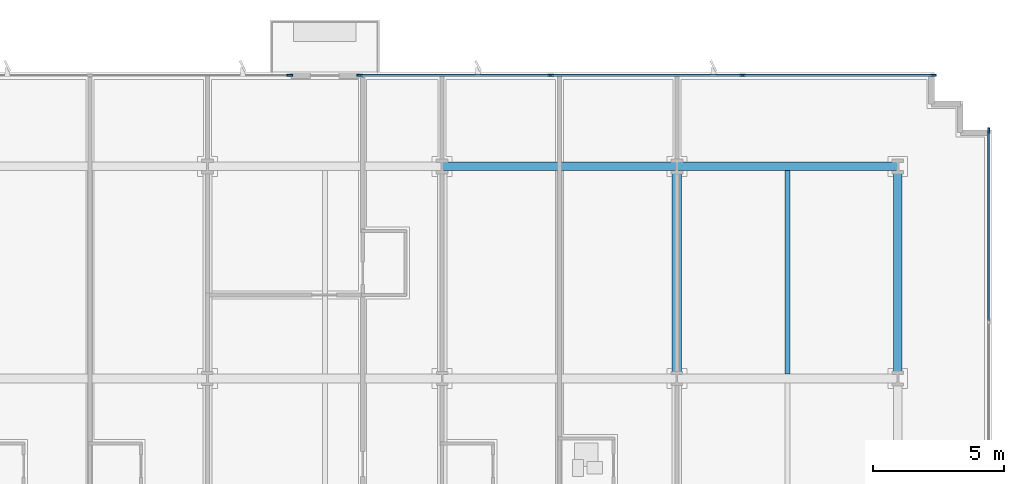
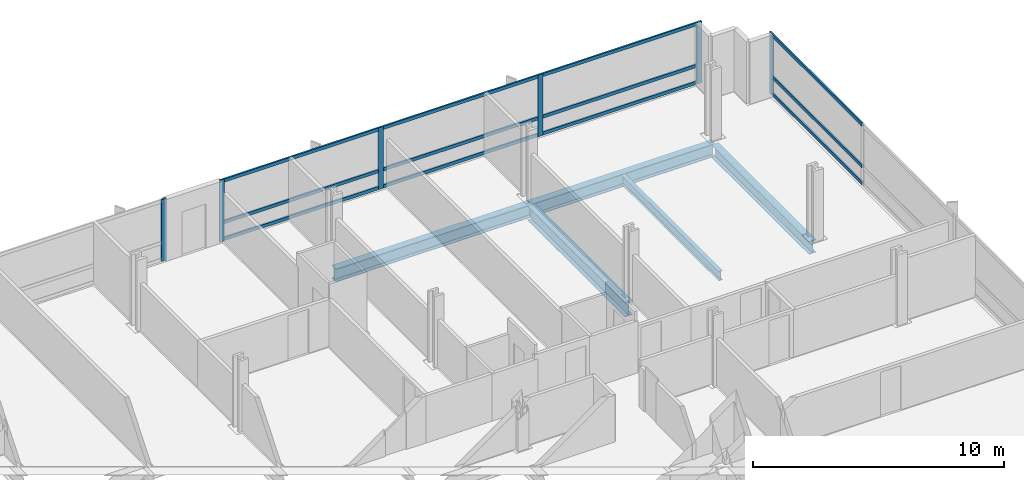
# One storey, part 6 of 15: 18 members, 5 beams, 3 elements without a shape of their own.
"""IFC4 building model written with IfcOpenShell, lengths in metres."""

from ifc_helpers import new_model, si_unit, direction, frame, origin, origin_2d, place, context, subcontext, project, spatial, rectangle, i_section, extrude, material, material_profile, profile_set, type_object, element, aggregate, save


model = new_model("IFC4")

# Units and contexts
model_context = context("Model", 3, precision=1e-05, world=origin(), true_north=direction((0.0, 1.0)))
body_context = subcontext(model_context, "Body", "Model", "MODEL_VIEW")
ifc_project = project(units=[si_unit("LENGTHUNIT", "METRE"), si_unit("AREAUNIT", "SQUARE_METRE"), si_unit("VOLUMEUNIT", "CUBIC_METRE"), si_unit("PLANEANGLEUNIT", "RADIAN"), si_unit("MASSUNIT", "GRAM", prefix="KILO")], contexts=[model_context])

# Site, building, storey
site_placement = place(None, origin())
site = spatial("IfcSite", under=ifc_project, at=site_placement, CompositionType="ELEMENT")
building_placement = place(site_placement, origin())
building = spatial("IfcBuilding", under=site, at=building_placement, Name="Solmavex Isthmus Hotel", CompositionType="ELEMENT")
storey_placement = place(building_placement, frame((0.0, 0.0, 71.25)))
storey = spatial("IfcBuildingStorey", under=building, at=storey_placement, Name="L19", CompositionType="ELEMENT", Elevation=71.25)

# Beams
ifc_material_1 = material(Name="Steel ASTM A992 Grade 50", Category="steel")
ifc_material_profile_1 = material_profile(ifc_material_1, i_section(OverallWidth=0.354736328125, OverallDepth=0.695556640625, WebThickness=0.015380859375, FlangeThickness=0.02490234375, FilletRadius=0.017822265625, at=origin_2d()), Name="W27X146")
ifc_profile_set_1 = profile_set([ifc_material_profile_1], Name="Steel ASTM A992 Grade 50")
beam_type_1 = type_object("IfcBeamType", Name="BM-BG-W27X146", PredefinedType="BEAM", material=ifc_profile_set_1)
beam_1_placement = place(storey_placement, frame((17.951904296875, 8.96533203125, -0.607666015625), z_axis=(0.0, 1.0, 0.0), x_axis=(-1.0, 0.0, 0.0)))
element("IfcBeam", 1, at=beam_1_placement, inside=storey, type_object=beam_type_1, Name="Floor Beam L19-VG45", PredefinedType="BEAM", context=body_context, shape_type="SweptSolid", body=[
    extrude(i_section(OverallWidth=0.354736328125, OverallDepth=0.695556640625, WebThickness=0.015380859375, FlangeThickness=0.02490234375, FilletRadius=0.017822265625, at=origin_2d()), origin(), (0.0, 0.0, 1.0), 7.771484375),
])
ifc_material_profile_2 = material_profile(ifc_material_1, i_section(OverallWidth=0.1904296875, OverallDepth=0.456787109375, WebThickness=0.009033203125, FlangeThickness=0.014404296875, FilletRadius=0.0126953125, at=origin_2d()), Name="W18X50")
ifc_profile_set_2 = profile_set([ifc_material_profile_2], Name="Steel ASTM A992 Grade 50")
beam_type_2 = type_object("IfcBeamType", Name="BM-BJ-W18X50", PredefinedType="JOIST", material=ifc_profile_set_2)
beam_2_placement = place(storey_placement, frame((22.176025390625, 8.96533203125, -0.488525390625), z_axis=(0.0, 1.0, 0.0), x_axis=(-1.0, 0.0, 0.0)))
element("IfcBeam", 2, at=beam_2_placement, inside=storey, type_object=beam_type_2, Name="Secondary Floor Joist L19-J22", PredefinedType="JOIST", context=body_context, shape_type="SweptSolid", body=[
    extrude(i_section(OverallWidth=0.1904296875, OverallDepth=0.456787109375, WebThickness=0.009033203125, FlangeThickness=0.014404296875, FilletRadius=0.0126953125, at=origin_2d()), origin(), (0.0, 0.0, 1.0), 7.771484375),
])
ifc_material_profile_3 = material_profile(ifc_material_1, i_section(OverallWidth=0.326416015625, OverallDepth=0.621826171875, WebThickness=0.015380859375, FlangeThickness=0.0244140625, FilletRadius=0.01513671875, at=origin_2d()), Name="W24X131")
ifc_profile_set_3 = profile_set([ifc_material_profile_3], Name="Steel ASTM A992 Grade 50")
beam_type_3 = type_object("IfcBeamType", Name="BM-SP-W24X131", PredefinedType="SPANDREL", material=ifc_profile_set_3)
beam_3_placement = place(storey_placement, frame((8.97607421875, 16.89990234375, -0.57080078125), z_axis=(1.0, 0.0, 0.0), x_axis=(0.0, 1.0, 0.0)))
element("IfcBeam", 3, at=beam_3_placement, inside=storey, type_object=beam_type_3, Name="Floor Girder L19-UG23", PredefinedType="SPANDREL", context=body_context, shape_type="SweptSolid", body=[
    extrude(i_section(OverallWidth=0.326416015625, OverallDepth=0.621826171875, WebThickness=0.015380859375, FlangeThickness=0.0244140625, FilletRadius=0.01513671875, at=origin_2d()), origin(), (0.0, 0.0, 1.0), 8.975830078125),
])
beam_4_placement = place(storey_placement, frame((17.951904296875, 16.89990234375, -0.57080078125), z_axis=(1.0, 0.0, 0.0), x_axis=(0.0, 1.0, 0.0)))
element("IfcBeam", 4, at=beam_4_placement, inside=storey, type_object=beam_type_3, Name="Floor Girder L19-UG24", PredefinedType="SPANDREL", context=body_context, shape_type="SweptSolid", body=[
    extrude(i_section(OverallWidth=0.326416015625, OverallDepth=0.621826171875, WebThickness=0.015380859375, FlangeThickness=0.0244140625, FilletRadius=0.01513671875, at=origin_2d()), origin(), (0.0, 0.0, 1.0), 8.447998046875),
])
beam_5_placement = place(storey_placement, frame((26.39990234375, 8.96533203125, -0.57080078125), z_axis=(0.0, 1.0, 0.0), x_axis=(-1.0, 0.0, 0.0)))
element("IfcBeam", 5, at=beam_5_placement, inside=storey, type_object=beam_type_3, Name="Floor Beam L19-VG48", PredefinedType="SPANDREL", context=body_context, shape_type="SweptSolid", body=[
    extrude(i_section(OverallWidth=0.326416015625, OverallDepth=0.621826171875, WebThickness=0.015380859375, FlangeThickness=0.0244140625, FilletRadius=0.01513671875, at=origin_2d()), origin(), (0.0, 0.0, 1.0), 7.771484375),
])

# Curtain wall, member
ifc_material_2 = material(Name="Aluminium alloy 6063-T6", Category="aluminium")
curtain_wall_type = type_object("IfcCurtainWallType", Name="CW-SYS-02", PredefinedType="NOTDEFINED", material=ifc_material_2)
curtain_wall_1_placement = place(storey_placement, origin())
curtain_wall_1 = element("IfcCurtainWall", 6, at=curtain_wall_1_placement, inside=storey, type_object=curtain_wall_type, Name="Stick Curtain Wall CWL-L19-N2", PredefinedType="NOTDEFINED")
ifc_material_profile_4 = material_profile(ifc_material_2, rectangle(XDim=0.074951171875, YDim=0.219970703125, at=origin_2d()), Name="CWM-75X220")
ifc_profile_set_4 = profile_set([ifc_material_profile_4], Name="Aluminium alloy 6063-T6")
member_type_1 = type_object("IfcMemberType", Name="CW-SYS-02-MUL", PredefinedType="MULLION", material=ifc_profile_set_4)
member_1_placement = place(storey_placement, frame((3.150390625, 20.3798828125, 0.0), z_axis=(0.0, 0.0, 1.0), x_axis=(0.0, 1.0, 0.0)))
member_1 = element("IfcMember", 7, at=member_1_placement, type_object=member_type_1, Name="CW-02 mullion 3", PredefinedType="MULLION", context=body_context, shape_type="SweptSolid", body=[
    extrude(rectangle(XDim=0.074951171875, YDim=0.219970703125, at=origin_2d()), origin(), (0.0, 0.0, 1.0), 3.0),
])
aggregate(curtain_wall_1, [member_1])

# Curtain wall, members
curtain_wall_2_placement = place(storey_placement, origin())
curtain_wall_2 = element("IfcCurtainWall", 8, at=curtain_wall_2_placement, inside=storey, type_object=curtain_wall_type, Name="Stick Curtain Wall CWL-L19-N3", PredefinedType="NOTDEFINED")
member_2_placement = place(storey_placement, frame((5.825439453125, 20.3798828125, 0.0), z_axis=(0.0, 0.0, 1.0), x_axis=(0.0, 1.0, 0.0)))
member_2 = element("IfcMember", 9, at=member_2_placement, type_object=member_type_1, Name="CW-02 mullion 1", PredefinedType="MULLION", context=body_context, shape_type="SweptSolid", body=[
    extrude(rectangle(XDim=0.074951171875, YDim=0.219970703125, at=origin_2d()), origin(), (0.0, 0.0, 1.0), 3.0),
])
member_3_placement = place(storey_placement, frame((13.125244140625, 20.3798828125, 0.0), z_axis=(0.0, 0.0, 1.0), x_axis=(0.0, 1.0, 0.0)))
member_3 = element("IfcMember", 10, at=member_3_placement, type_object=member_type_1, Name="CW-02 mullion 2", PredefinedType="MULLION", context=body_context, shape_type="SweptSolid", body=[
    extrude(rectangle(XDim=0.074951171875, YDim=0.219970703125, at=origin_2d()), origin(), (0.0, 0.0, 1.0), 3.0),
])
member_4_placement = place(storey_placement, frame((20.462646484375, 20.3798828125, 0.0), z_axis=(0.0, 0.0, 1.0), x_axis=(0.0, 1.0, 0.0)))
member_4 = element("IfcMember", 11, at=member_4_placement, type_object=member_type_1, Name="CW-02 mullion 3", PredefinedType="MULLION", context=body_context, shape_type="SweptSolid", body=[
    extrude(rectangle(XDim=0.074951171875, YDim=0.219970703125, at=origin_2d()), origin(), (0.0, 0.0, 1.0), 3.0),
])
member_5_placement = place(storey_placement, frame((27.762451171875, 20.3798828125, 0.0), z_axis=(0.0, 0.0, 1.0), x_axis=(0.0, 1.0, 0.0)))
member_5 = element("IfcMember", 12, at=member_5_placement, type_object=member_type_1, Name="CW-02 mullion 4", PredefinedType="MULLION", context=body_context, shape_type="SweptSolid", body=[
    extrude(rectangle(XDim=0.074951171875, YDim=0.219970703125, at=origin_2d()), origin(), (0.0, 0.0, 1.0), 3.0),
])

# Curtain wall, member
curtain_wall_3_placement = place(storey_placement, origin())
curtain_wall_3 = element("IfcCurtainWall", 13, at=curtain_wall_3_placement, inside=storey, type_object=curtain_wall_type, Name="Stick Curtain Wall CWL-L19-E1", PredefinedType="NOTDEFINED")
member_6_placement = place(storey_placement, frame((29.8798828125, 18.262451171875, 0.0), z_axis=(0.0, 0.0, 1.0), x_axis=(-1.0, 0.0, 0.0)))
member_6 = element("IfcMember", 14, at=member_6_placement, type_object=member_type_1, Name="CW-02 mullion 6", PredefinedType="MULLION", context=body_context, shape_type="SweptSolid", body=[
    extrude(rectangle(XDim=0.074951171875, YDim=0.219970703125, at=origin_2d()), origin(), (0.0, 0.0, 1.0), 3.0),
])

# Member
ifc_material_profile_5 = material_profile(ifc_material_2, rectangle(XDim=0.074951171875, YDim=0.159912109375, at=origin_2d()), Name="CWT-75X160")
ifc_profile_set_5 = profile_set([ifc_material_profile_5], Name="Aluminium alloy 6063-T6")
member_type_2 = type_object("IfcMemberType", Name="CW-SYS-02-TRN", PredefinedType="USERDEFINED", material=ifc_profile_set_5)
member_7_placement = place(storey_placement, frame((5.863037109375, 20.3798828125, 0.080078125), z_axis=(1.0, 0.0, 0.0), x_axis=(0.0, 1.0, 0.0)))
member_7 = element("IfcMember", 15, at=member_7_placement, type_object=member_type_2, Name="CW-02 transom 1.1", ObjectType="TRANSOM", PredefinedType="USERDEFINED", context=body_context, shape_type="SweptSolid", body=[
    extrude(rectangle(XDim=0.074951171875, YDim=0.159912109375, at=origin_2d()), origin(), (0.0, 0.0, 1.0), 7.224853515625),
])

member_8_placement = place(storey_placement, frame((5.863037109375, 20.3798828125, 0.89990234375), z_axis=(1.0, 0.0, 0.0), x_axis=(0.0, 1.0, 0.0)))
member_8 = element("IfcMember", 16, at=member_8_placement, type_object=member_type_2, Name="CW-02 transom 1.2", ObjectType="TRANSOM", PredefinedType="USERDEFINED", context=body_context, shape_type="SweptSolid", body=[
    extrude(rectangle(XDim=0.074951171875, YDim=0.159912109375, at=origin_2d()), origin(), (0.0, 0.0, 1.0), 7.224853515625),
])

member_9_placement = place(storey_placement, frame((5.863037109375, 20.3798828125, 2.919921875), z_axis=(1.0, 0.0, 0.0), x_axis=(0.0, 1.0, 0.0)))
member_9 = element("IfcMember", 17, at=member_9_placement, type_object=member_type_2, Name="CW-02 transom 1.3", ObjectType="TRANSOM", PredefinedType="USERDEFINED", context=body_context, shape_type="SweptSolid", body=[
    extrude(rectangle(XDim=0.074951171875, YDim=0.159912109375, at=origin_2d()), origin(), (0.0, 0.0, 1.0), 7.224853515625),
])

member_10_placement = place(storey_placement, frame((13.162841796875, 20.3798828125, 0.080078125), z_axis=(1.0, 0.0, 0.0), x_axis=(0.0, 1.0, 0.0)))
member_10 = element("IfcMember", 18, at=member_10_placement, type_object=member_type_2, Name="CW-02 transom 2.1", ObjectType="TRANSOM", PredefinedType="USERDEFINED", context=body_context, shape_type="SweptSolid", body=[
    extrude(rectangle(XDim=0.074951171875, YDim=0.159912109375, at=origin_2d()), origin(), (0.0, 0.0, 1.0), 7.26220703125),
])

member_11_placement = place(storey_placement, frame((13.162841796875, 20.3798828125, 0.89990234375), z_axis=(1.0, 0.0, 0.0), x_axis=(0.0, 1.0, 0.0)))
member_11 = element("IfcMember", 19, at=member_11_placement, type_object=member_type_2, Name="CW-02 transom 2.2", ObjectType="TRANSOM", PredefinedType="USERDEFINED", context=body_context, shape_type="SweptSolid", body=[
    extrude(rectangle(XDim=0.074951171875, YDim=0.159912109375, at=origin_2d()), origin(), (0.0, 0.0, 1.0), 7.26220703125),
])

member_12_placement = place(storey_placement, frame((13.162841796875, 20.3798828125, 2.919921875), z_axis=(1.0, 0.0, 0.0), x_axis=(0.0, 1.0, 0.0)))
member_12 = element("IfcMember", 20, at=member_12_placement, type_object=member_type_2, Name="CW-02 transom 2.3", ObjectType="TRANSOM", PredefinedType="USERDEFINED", context=body_context, shape_type="SweptSolid", body=[
    extrude(rectangle(XDim=0.074951171875, YDim=0.159912109375, at=origin_2d()), origin(), (0.0, 0.0, 1.0), 7.26220703125),
])

member_13_placement = place(storey_placement, frame((20.500244140625, 20.3798828125, 0.080078125), z_axis=(1.0, 0.0, 0.0), x_axis=(0.0, 1.0, 0.0)))
member_13 = element("IfcMember", 21, at=member_13_placement, type_object=member_type_2, Name="CW-02 transom 3.1", ObjectType="TRANSOM", PredefinedType="USERDEFINED", context=body_context, shape_type="SweptSolid", body=[
    extrude(rectangle(XDim=0.074951171875, YDim=0.159912109375, at=origin_2d()), origin(), (0.0, 0.0, 1.0), 7.224853515625),
])

member_14_placement = place(storey_placement, frame((20.500244140625, 20.3798828125, 0.89990234375), z_axis=(1.0, 0.0, 0.0), x_axis=(0.0, 1.0, 0.0)))
member_14 = element("IfcMember", 22, at=member_14_placement, type_object=member_type_2, Name="CW-02 transom 3.2", ObjectType="TRANSOM", PredefinedType="USERDEFINED", context=body_context, shape_type="SweptSolid", body=[
    extrude(rectangle(XDim=0.074951171875, YDim=0.159912109375, at=origin_2d()), origin(), (0.0, 0.0, 1.0), 7.224853515625),
])

member_15_placement = place(storey_placement, frame((20.500244140625, 20.3798828125, 2.919921875), z_axis=(1.0, 0.0, 0.0), x_axis=(0.0, 1.0, 0.0)))
member_15 = element("IfcMember", 23, at=member_15_placement, type_object=member_type_2, Name="CW-02 transom 3.3", ObjectType="TRANSOM", PredefinedType="USERDEFINED", context=body_context, shape_type="SweptSolid", body=[
    extrude(rectangle(XDim=0.074951171875, YDim=0.159912109375, at=origin_2d()), origin(), (0.0, 0.0, 1.0), 7.224853515625),
])

aggregate(curtain_wall_2, [member_2, member_3, member_4, member_5, member_7, member_8, member_9, member_10, member_11, member_12, member_13, member_14, member_15])

member_16_placement = place(storey_placement, frame((29.8798828125, 11.017578125, 0.080078125), z_axis=(0.0, 1.0, 0.0), x_axis=(-1.0, 0.0, 0.0)))
member_16 = element("IfcMember", 24, at=member_16_placement, type_object=member_type_2, Name="CW-02 transom 5.1", ObjectType="TRANSOM", PredefinedType="USERDEFINED", context=body_context, shape_type="SweptSolid", body=[
    extrude(rectangle(XDim=0.074951171875, YDim=0.159912109375, at=origin_2d()), origin(), (0.0, 0.0, 1.0), 7.20751953125),
])

member_17_placement = place(storey_placement, frame((29.8798828125, 11.017578125, 0.89990234375), z_axis=(0.0, 1.0, 0.0), x_axis=(-1.0, 0.0, 0.0)))
member_17 = element("IfcMember", 25, at=member_17_placement, type_object=member_type_2, Name="CW-02 transom 5.2", ObjectType="TRANSOM", PredefinedType="USERDEFINED", context=body_context, shape_type="SweptSolid", body=[
    extrude(rectangle(XDim=0.074951171875, YDim=0.159912109375, at=origin_2d()), origin(), (0.0, 0.0, 1.0), 7.20751953125),
])

member_18_placement = place(storey_placement, frame((29.8798828125, 11.017578125, 2.919921875), z_axis=(0.0, 1.0, 0.0), x_axis=(-1.0, 0.0, 0.0)))
member_18 = element("IfcMember", 26, at=member_18_placement, type_object=member_type_2, Name="CW-02 transom 5.3", ObjectType="TRANSOM", PredefinedType="USERDEFINED", context=body_context, shape_type="SweptSolid", body=[
    extrude(rectangle(XDim=0.074951171875, YDim=0.159912109375, at=origin_2d()), origin(), (0.0, 0.0, 1.0), 7.20751953125),
])

aggregate(curtain_wall_3, [member_6, member_16, member_17, member_18])

save(model, "model.ifc")
